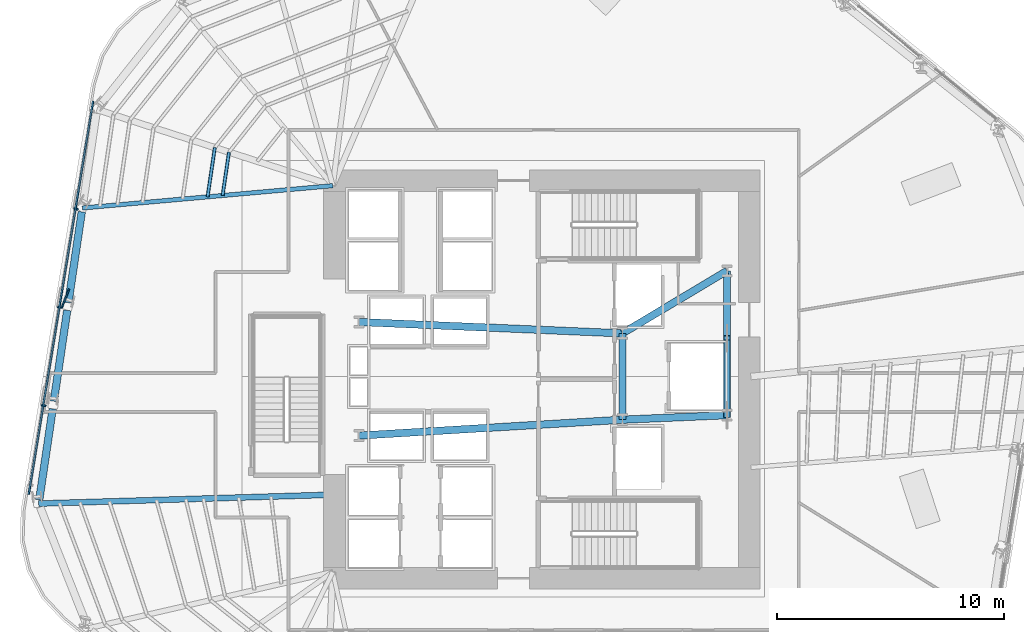
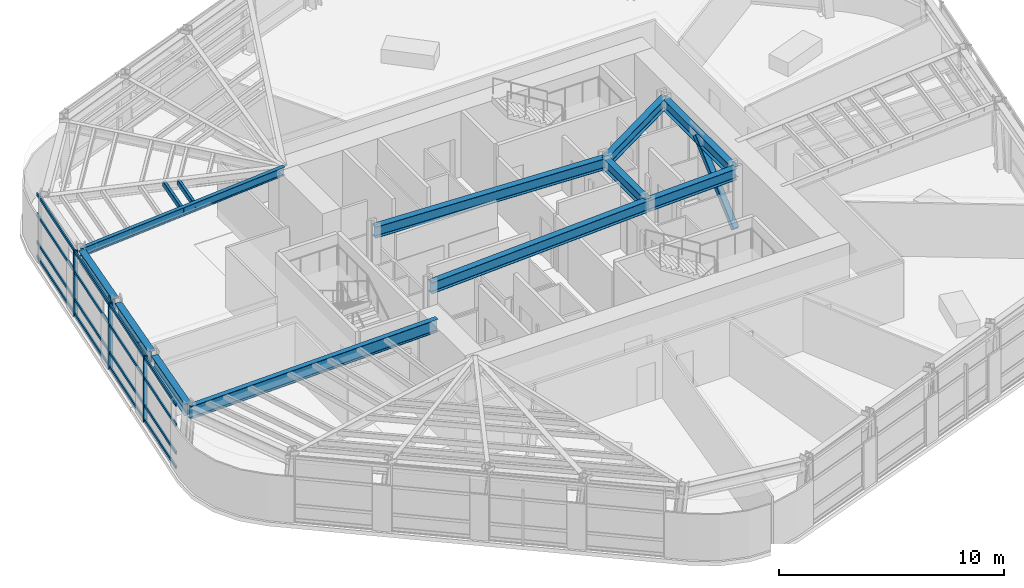
# One storey, part 4 of 18: 11 beams, 11 members, 1 element without a shape of its own.
"""IFC4 building model written with IfcOpenShell, lengths in metres."""

from ifc_helpers import new_model, si_unit, direction, frame, origin, origin_2d, place, context, subcontext, project, spatial, rectangle, hollow_rectangle, i_section, extrude, material, layer, layer_set, material_profile, profile_set, type_object, element, aggregate, save


model = new_model("IFC4")

# Units and contexts
model_context = context("Model", 3, precision=1e-05, world=origin(), true_north=direction((0.0, 1.0)))
body_context = subcontext(model_context, "Body", "Model", "MODEL_VIEW")
ifc_project = project(units=[si_unit("LENGTHUNIT", "METRE"), si_unit("AREAUNIT", "SQUARE_METRE"), si_unit("VOLUMEUNIT", "CUBIC_METRE"), si_unit("PLANEANGLEUNIT", "RADIAN"), si_unit("MASSUNIT", "GRAM", prefix="KILO")], contexts=[model_context])

# Site, building, storey
site_placement = place(None, origin())
site = spatial("IfcSite", under=ifc_project, at=site_placement, CompositionType="ELEMENT")
building_placement = place(site_placement, origin())
building = spatial("IfcBuilding", under=site, at=building_placement, Name="Valkerne Bourse Tower", CompositionType="ELEMENT")
storey_placement = place(building_placement, frame((0.0, 0.0, 112.39990234375)))
storey = spatial("IfcBuildingStorey", under=building, at=storey_placement, Name="L28", CompositionType="ELEMENT", Elevation=112.39990234375)

# Beams
ifc_material_1 = material(Name="Steel ASTM A992", Category="steel")
ifc_material_profile_1 = material_profile(ifc_material_1, i_section(OverallWidth=0.1904296875, OverallDepth=0.457275390625, WebThickness=0.009033203125, FlangeThickness=0.014404296875, FilletRadius=0.01513671875, at=origin_2d()), Name="W18X50")
ifc_profile_set_1 = profile_set([ifc_material_profile_1], Name="Steel ASTM A992")
beam_type_1 = type_object("IfcBeamType", Name="BM-W18X50", PredefinedType="JOIST", material=ifc_profile_set_1)
beam_1_placement = place(storey_placement, frame((26.578857421875, 34.41650390625, 3.3515625), z_axis=(0.996042834048, 0.08887447745, 0.0), x_axis=(-0.08887447745, 0.996042834048, 0.0)))
element("IfcBeam", 1, at=beam_1_placement, inside=storey, type_object=beam_type_1, Name="L28 Radial Composite Floor Beam 11", PredefinedType="JOIST", context=body_context, shape_type="SweptSolid", body=[
    extrude(i_section(OverallWidth=0.1904296875, OverallDepth=0.457275390625, WebThickness=0.009033203125, FlangeThickness=0.014404296875, FilletRadius=0.01513671875, at=origin_2d()), origin(), (0.0, 0.0, 1.0), 11.06494140625),
])
ifc_material_profile_2 = material_profile(ifc_material_1, i_section(OverallWidth=0.3251953125, OverallDepth=0.612060546875, WebThickness=0.0126953125, FlangeThickness=0.01904296875, FilletRadius=0.020263671875, at=origin_2d()), Name="W24X104")
ifc_profile_set_2 = profile_set([ifc_material_profile_2], Name="Steel ASTM A992")
beam_type_2 = type_object("IfcBeamType", Name="BM-W24X104", PredefinedType="BEAM", material=ifc_profile_set_2)
beam_2_placement = place(storey_placement, frame((50.35009765625, 25.10009765625, 3.274169921875), z_axis=(0.0, 1.0, 0.0), x_axis=(-1.0, 0.0, 0.0)))
element("IfcBeam", 2, at=beam_2_placement, inside=storey, type_object=beam_type_2, Name="L28 Core Frame Girder CG-CE", PredefinedType="BEAM", context=body_context, shape_type="SweptSolid", body=[
    extrude(i_section(OverallWidth=0.3251953125, OverallDepth=0.612060546875, WebThickness=0.0126953125, FlangeThickness=0.01904296875, FilletRadius=0.020263671875, at=origin_2d()), origin(), (0.0, 0.0, 1.0), 3.7998046875),
])
beam_3_placement = place(storey_placement, frame((50.35009765625, 25.10009765625, 3.274169921875), z_axis=(0.999056558506, 0.043428019819, 0.0), x_axis=(-0.043428019819, 0.999056558506, 0.0)))
element("IfcBeam", 3, at=beam_3_placement, inside=storey, type_object=beam_type_2, Name="L28 Core Frame Girder CG-SE", PredefinedType="BEAM", context=body_context, shape_type="SweptSolid", body=[
    extrude(i_section(OverallWidth=0.3251953125, OverallDepth=0.612060546875, WebThickness=0.0126953125, FlangeThickness=0.01904296875, FilletRadius=0.020263671875, at=origin_2d()), origin(), (0.0, 0.0, 1.0), 4.604248046875),
])
beam_4_placement = place(storey_placement, frame((50.35009765625, 28.89990234375, 3.274169921875), z_axis=(0.858307823492, 0.513135148019, 0.0), x_axis=(-0.513135148019, 0.858307823492, 0.0)))
element("IfcBeam", 4, at=beam_4_placement, inside=storey, type_object=beam_type_2, Name="L28 Core Frame Girder CG-NE", PredefinedType="BEAM", context=body_context, shape_type="SweptSolid", body=[
    extrude(i_section(OverallWidth=0.3251953125, OverallDepth=0.612060546875, WebThickness=0.0126953125, FlangeThickness=0.01904296875, FilletRadius=0.020263671875, at=origin_2d()), origin(), (0.0, 0.0, 1.0), 5.359130859375),
])
beam_5_placement = place(storey_placement, frame((54.949951171875, 25.300048828125, 3.274169921875), z_axis=(0.0, 1.0, 0.0), x_axis=(-1.0, 0.0, 0.0)))
element("IfcBeam", 5, at=beam_5_placement, inside=storey, type_object=beam_type_2, Name="L28 Core Frame Girder CG-EE", PredefinedType="BEAM", context=body_context, shape_type="SweptSolid", body=[
    extrude(i_section(OverallWidth=0.3251953125, OverallDepth=0.612060546875, WebThickness=0.0126953125, FlangeThickness=0.01904296875, FilletRadius=0.020263671875, at=origin_2d()), origin(), (0.0, 0.0, 1.0), 6.349853515625),
])
beam_6_placement = place(storey_placement, frame((38.75, 24.39990234375, 3.274169921875), z_axis=(0.998183228389, 0.060251494276, 0.0), x_axis=(-0.060251494276, 0.998183228389, 0.0)))
element("IfcBeam", 6, at=beam_6_placement, inside=storey, type_object=beam_type_2, Name="L28 Core Frame Girder CG-SW", PredefinedType="BEAM", context=body_context, shape_type="SweptSolid", body=[
    extrude(i_section(OverallWidth=0.3251953125, OverallDepth=0.612060546875, WebThickness=0.0126953125, FlangeThickness=0.01904296875, FilletRadius=0.020263671875, at=origin_2d()), origin(), (0.0, 0.0, 1.0), 11.62109375),
])
beam_7_placement = place(storey_placement, frame((38.75, 29.39990234375, 3.274169921875), z_axis=(0.999072354402, -0.043063101019, 0.0), x_axis=(0.043063101019, 0.999072354402, 0.0)))
element("IfcBeam", 7, at=beam_7_placement, inside=storey, type_object=beam_type_2, Name="L28 Core Frame Girder CG-NW", PredefinedType="BEAM", context=body_context, shape_type="SweptSolid", body=[
    extrude(i_section(OverallWidth=0.3251953125, OverallDepth=0.612060546875, WebThickness=0.0126953125, FlangeThickness=0.01904296875, FilletRadius=0.020263671875, at=origin_2d()), origin(), (0.0, 0.0, 1.0), 11.61083984375),
])
ifc_material_profile_3 = material_profile(ifc_material_1, i_section(OverallWidth=0.330078125, OverallDepth=0.647705078125, WebThickness=0.0205078125, FlangeThickness=0.037109375, FilletRadius=0.020263671875, at=origin_2d()), Name="W24X192")
ifc_profile_set_3 = profile_set([ifc_material_profile_3], Name="Steel ASTM A992")
beam_type_3 = type_object("IfcBeamType", Name="BM-W24X192", PredefinedType="SPANDREL", material=ifc_profile_set_3)
for number, where, z_axis, x_axis, name in (
    (8, (26.553955078125, 34.248291015625, 3.25634765625), (-0.146078105957, -0.989273059858, 0.0), (0.989273059858, -0.146078105957, 0.0), "L28 Hexagonal Spandrel Ring Beam 11"),
    (9, (25.913818359375, 29.912353515625, 3.25634765625), (-0.146137204379, -0.989264331459, 0.0), (0.989264331459, -0.146137204379, 0.0), "L28 Hexagonal Spandrel Ring Beam 12"),
    (10, (25.2734375, 25.576416015625, 3.25634765625), (-0.146137204379, -0.989264331459, 0.0), (0.989264331459, -0.146137204379, 0.0), "L28 Hexagonal Spandrel Ring Beam 13"),
):
    element("IfcBeam", number, at=place(storey_placement, frame(where, z_axis=z_axis, x_axis=x_axis)), inside=storey, type_object=beam_type_3, Name=name, PredefinedType="SPANDREL", context=body_context, shape_type="SweptSolid", body=[
        extrude(i_section(OverallWidth=0.330078125, OverallDepth=0.647705078125, WebThickness=0.0205078125, FlangeThickness=0.037109375, FilletRadius=0.020263671875, at=origin_2d()), origin(), (0.0, 0.0, 1.0), 4.04296875),
    ])
ifc_material_profile_4 = material_profile(ifc_material_1, i_section(OverallWidth=0.255859375, OverallDepth=0.693359375, WebThickness=0.014404296875, FlangeThickness=0.023681640625, FilletRadius=0.02294921875, at=origin_2d()), Name="W27X114")
ifc_profile_set_4 = profile_set([ifc_material_profile_4], Name="Steel ASTM A992")
beam_type_4 = type_object("IfcBeamType", Name="BM-W27X114", PredefinedType="BEAM", material=ifc_profile_set_4)
beam_8_placement = place(storey_placement, frame((24.657958984375, 21.40869140625, 3.2333984375), z_axis=(0.999543114535, 0.030225191236, 0.0), x_axis=(-0.030225191236, 0.999543114535, 0.0)))
element("IfcBeam", 11, at=beam_8_placement, inside=storey, type_object=beam_type_4, Name="L28 Radial Composite Floor Beam 14", PredefinedType="BEAM", context=body_context, shape_type="SweptSolid", body=[
    extrude(i_section(OverallWidth=0.255859375, OverallDepth=0.693359375, WebThickness=0.014404296875, FlangeThickness=0.023681640625, FilletRadius=0.02294921875, at=origin_2d()), origin(), (0.0, 0.0, 1.0), 12.947998046875),
])

# Curtain wall, members
ifc_material_2 = material(Name="Aluminium AA 6063-T6", Category="aluminium")
ifc_layer = layer(ifc_material_2, 0.22998046875)
ifc_layer_set = layer_set([ifc_layer], Name="Aluminium AA 6063-T6")
curtain_wall_type = type_object("IfcCurtainWallType", Name="CW-02", PredefinedType="NOTDEFINED", material=ifc_layer_set)
curtain_wall_placement = place(storey_placement, origin())
curtain_wall = element("IfcCurtainWall", 12, at=curtain_wall_placement, inside=storey, type_object=curtain_wall_type, Name="L28 Hexagonal Stick Curtain Wall Face 3", PredefinedType="NOTDEFINED")
ifc_material_profile_5 = material_profile(ifc_material_2, rectangle(XDim=0.074951171875, YDim=0.199951171875, at=origin_2d()), Name="CWM-75X200")
ifc_profile_set_5 = profile_set([ifc_material_profile_5], Name="Aluminium AA 6063-T6")
member_type_1 = type_object("IfcMemberType", Name="CW-MUL-220X75", PredefinedType="MULLION", material=ifc_profile_set_5)
member_1_placement = place(storey_placement, frame((26.29443359375, 34.373779296875, 0.0), z_axis=(0.0, 0.0, 1.0), x_axis=(-0.161604923604, -0.986855535865, 0.0)))
member_1 = element("IfcMember", 13, at=member_1_placement, type_object=member_type_1, Name="CW-L28-F3 Jamb Mullion 01A", PredefinedType="MULLION", context=body_context, shape_type="SweptSolid", body=[
    extrude(rectangle(XDim=0.074951171875, YDim=0.199951171875, at=origin_2d()), origin(), (0.0, 0.0, 1.0), 3.580078125),
])
member_2_placement = place(storey_placement, frame((25.586181640625, 30.04833984375, 0.0), z_axis=(0.0, 0.0, 1.0), x_axis=(-0.16160128499, -0.986856131708, 0.0)))
member_2 = element("IfcMember", 14, at=member_2_placement, type_object=member_type_1, Name="CW-L28-F3 Jamb Mullion 02A", PredefinedType="MULLION", context=body_context, shape_type="SweptSolid", body=[
    extrude(rectangle(XDim=0.074951171875, YDim=0.199951171875, at=origin_2d()), origin(), (0.0, 0.0, 1.0), 3.580078125),
])
member_3_placement = place(storey_placement, frame((24.877685546875, 25.722900390625, 0.0), z_axis=(0.0, 0.0, 1.0), x_axis=(-0.16162350442, -0.986852492939, 0.0)))
member_3 = element("IfcMember", 15, at=member_3_placement, type_object=member_type_1, Name="CW-L28-F3 Jamb Mullion 03A", PredefinedType="MULLION", context=body_context, shape_type="SweptSolid", body=[
    extrude(rectangle(XDim=0.074951171875, YDim=0.199951171875, at=origin_2d()), origin(), (0.0, 0.0, 1.0), 3.580078125),
])
ifc_material_profile_6 = material_profile(ifc_material_2, rectangle(XDim=0.074951171875, YDim=0.14990234375, at=origin_2d()), Name="CWT-75X150")
ifc_profile_set_6 = profile_set([ifc_material_profile_6], Name="Aluminium AA 6063-T6")
member_type_2 = type_object("IfcMemberType", Name="CW-TRN-180X65", PredefinedType="USERDEFINED", material=ifc_profile_set_6)
member_4_placement = place(storey_placement, frame((27.05078125, 39.11669921875, 0.1201171875), z_axis=(-0.16160495621, -0.986855530525, 0.0), x_axis=(0.986855530525, -0.16160495621, 0.0)))
member_4 = element("IfcMember", 16, at=member_4_placement, type_object=member_type_2, Name="CW-L28-F3 Continuous Face Transom 1", ObjectType="TRANSOM", PredefinedType="USERDEFINED", context=body_context, shape_type="SweptSolid", body=[
    extrude(rectangle(XDim=0.074951171875, YDim=0.14990234375, at=origin_2d()), origin(), (0.0, 0.0, 1.0), 17.531982421875),
])
member_5_placement = place(storey_placement, frame((27.05078125, 39.11669921875, 0.900146484375), z_axis=(-0.16160495621, -0.986855530525, 0.0), x_axis=(0.986855530525, -0.16160495621, 0.0)))
member_5 = element("IfcMember", 17, at=member_5_placement, type_object=member_type_2, Name="CW-L28-F3 Continuous Face Transom 2", ObjectType="TRANSOM", PredefinedType="USERDEFINED", context=body_context, shape_type="SweptSolid", body=[
    extrude(rectangle(XDim=0.074951171875, YDim=0.14990234375, at=origin_2d()), origin(), (0.0, 0.0, 1.0), 17.531982421875),
])
member_6_placement = place(storey_placement, frame((27.05078125, 39.11669921875, 2.400146484375), z_axis=(-0.16160495621, -0.986855530525, 0.0), x_axis=(0.986855530525, -0.16160495621, 0.0)))
member_6 = element("IfcMember", 18, at=member_6_placement, type_object=member_type_2, Name="CW-L28-F3 Continuous Face Transom 3", ObjectType="TRANSOM", PredefinedType="USERDEFINED", context=body_context, shape_type="SweptSolid", body=[
    extrude(rectangle(XDim=0.074951171875, YDim=0.14990234375, at=origin_2d()), origin(), (0.0, 0.0, 1.0), 17.531982421875),
])
member_7_placement = place(storey_placement, frame((27.05078125, 39.11669921875, 3.5), z_axis=(-0.16160495621, -0.986855530525, 0.0), x_axis=(0.986855530525, -0.16160495621, 0.0)))
member_7 = element("IfcMember", 19, at=member_7_placement, type_object=member_type_2, Name="CW-L28-F3 Continuous Face Transom 4", ObjectType="TRANSOM", PredefinedType="USERDEFINED", context=body_context, shape_type="SweptSolid", body=[
    extrude(rectangle(XDim=0.074951171875, YDim=0.14990234375, at=origin_2d()), origin(), (0.0, 0.0, 1.0), 17.531982421875),
])
aggregate(curtain_wall, [member_4, member_5, member_6, member_7, member_1, member_2, member_3])

# Members
ifc_material_3 = material(Name="Bronze Anodised Aluminium AA 6063-T6", Category="aluminium")
ifc_material_profile_7 = material_profile(ifc_material_3, rectangle(XDim=0.070068359375, YDim=0.89990234375, at=origin_2d()), Name="FIN-70X900")
ifc_profile_set_7 = profile_set([ifc_material_profile_7], Name="Bronze Anodised Aluminium AA 6063-T6")
member_type_3 = type_object("IfcMemberType", Name="FIN-SOLAR-900", PredefinedType="USERDEFINED", material=ifc_profile_set_7)
member_8_placement = place(storey_placement, frame((25.83154296875, 30.433837890625, 0.004150390625), z_axis=(0.0, 0.0, 1.0), x_axis=(-0.933072961762, 0.359687152993, 0.0)))
element("IfcMember", 20, at=member_8_placement, inside=storey, type_object=member_type_3, Name="L28 Bronze Anodised Solar Fin F3-02", ObjectType="SOLAR_FIN", PredefinedType="USERDEFINED", context=body_context, shape_type="SweptSolid", body=[
    extrude(rectangle(XDim=0.070068359375, YDim=0.89990234375, at=origin_2d()), origin(), (0.0, 0.0, 1.0), 3.572021484375),
])
ifc_material_4 = material(Name="Steel ASTM A500 Grade C", Category="steel")
ifc_material_profile_8 = material_profile(ifc_material_4, hollow_rectangle(XDim=0.14990234375, YDim=0.300048828125, WallThickness=0.012451171875, OuterFilletRadius=0.02490234375, at=origin_2d()), Name="HSS300X150X12.5")
ifc_profile_set_8 = profile_set([ifc_material_profile_8], Name="Steel ASTM A500 Grade C")
member_type_4 = type_object("IfcMemberType", Name="MBR-HSS300X150X12.5", PredefinedType="PURLIN", material=ifc_profile_set_8)
member_9_placement = place(storey_placement, frame((33.032470703125, 36.875, 3.420166015625), z_axis=(-0.146098995545, -0.989269975032, 0.0), x_axis=(0.989269975032, -0.146098995545, 0.0)))
element("IfcMember", 21, at=member_9_placement, inside=storey, type_object=member_type_4, Name="L28 Secondary Composite Floor Purlin K-10", PredefinedType="PURLIN", context=body_context, shape_type="SweptSolid", body=[
    extrude(hollow_rectangle(XDim=0.14990234375, YDim=0.300048828125, WallThickness=0.012451171875, OuterFilletRadius=0.02490234375, at=origin_2d()), origin(), (0.0, 0.0, 1.0), 1.928466796875),
])
member_10_placement = place(storey_placement, frame((32.40966796875, 37.076416015625, 3.420166015625), z_axis=(-0.146144950075, -0.989263187209, 0.0), x_axis=(0.989263187209, -0.146144950075, 0.0)))
element("IfcMember", 22, at=member_10_placement, inside=storey, type_object=member_type_4, Name="L28 Secondary Composite Floor Purlin M-10", PredefinedType="PURLIN", context=body_context, shape_type="SweptSolid", body=[
    extrude(hollow_rectangle(XDim=0.14990234375, YDim=0.300048828125, WallThickness=0.012451171875, OuterFilletRadius=0.02490234375, at=origin_2d()), origin(), (0.0, 0.0, 1.0), 2.191650390625),
])
ifc_material_profile_9 = material_profile(ifc_material_4, hollow_rectangle(XDim=0.300048828125, YDim=0.300048828125, WallThickness=0.012451171875, OuterFilletRadius=0.02490234375, at=origin_2d()), Name="HSS300X300X12.5")
ifc_profile_set_9 = profile_set([ifc_material_profile_9], Name="Steel ASTM A500 Grade C")
member_type_5 = type_object("IfcMemberType", Name="MBR-HSS300X300X12.5", PredefinedType="STRUT", material=ifc_profile_set_9)
member_11_placement = place(storey_placement, frame((54.949951171875, 25.300048828125, 0.22021484375), z_axis=(0.0, 0.743941933778, 0.668244266094), x_axis=(-1.0, 0.0, 0.0)))
element("IfcMember", 23, at=member_11_placement, inside=storey, type_object=member_type_5, Name="L28 Core Service Pier Lateral Brace", PredefinedType="STRUT", context=body_context, shape_type="SweptSolid", body=[
    extrude(hollow_rectangle(XDim=0.300048828125, YDim=0.300048828125, WallThickness=0.012451171875, OuterFilletRadius=0.02490234375, at=origin_2d()), origin(), (0.0, 0.0, 1.0), 4.570068359375),
])

save(model, "model.ifc")
